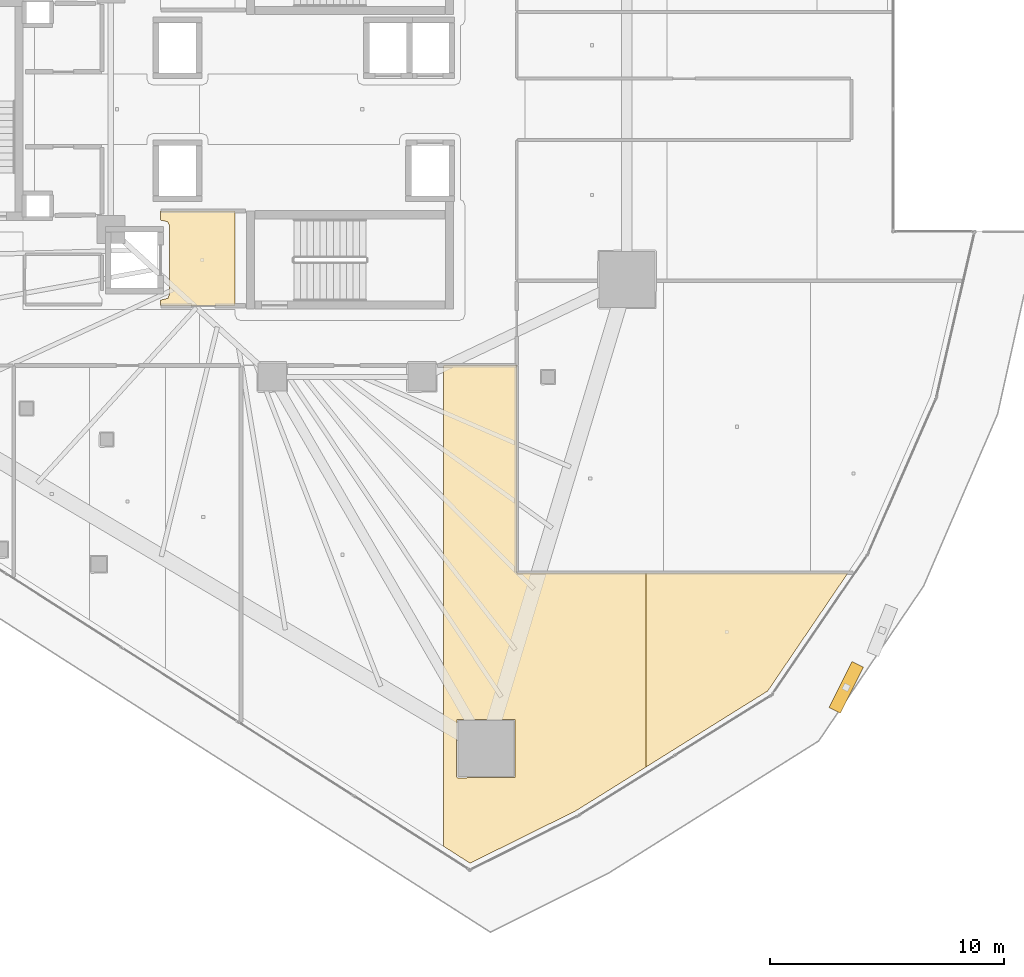
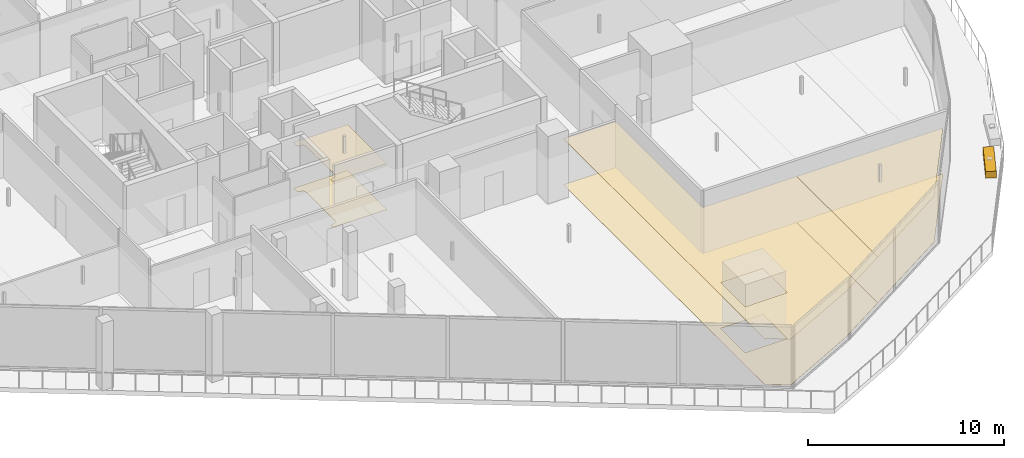
# One storey, part 39 of 45: 6 coverings, 1 shading device.
"""IFC4 building model written with IfcOpenShell, lengths in metres."""

from ifc_helpers import new_model, si_unit, direction, frame, origin, origin_2d, place, context, subcontext, project, spatial, polyline, rectangle, outline, extrude, material, layer, layer_set, type_object, element, save


model = new_model("IFC4")

# Units and contexts
model_context = context("Model", 3, precision=1e-05, world=origin(), true_north=direction((0.0, 1.0)))
body_context = subcontext(model_context, "Body", "Model", "MODEL_VIEW")
ifc_project = project(units=[si_unit("LENGTHUNIT", "METRE"), si_unit("AREAUNIT", "SQUARE_METRE"), si_unit("VOLUMEUNIT", "CUBIC_METRE"), si_unit("PLANEANGLEUNIT", "RADIAN"), si_unit("MASSUNIT", "GRAM", prefix="KILO")], contexts=[model_context])

# Site, building, storey
site_placement = place(None, origin())
site = spatial("IfcSite", under=ifc_project, at=site_placement, CompositionType="ELEMENT")
building_placement = place(site_placement, origin())
building = spatial("IfcBuilding", under=site, at=building_placement, Name="Qorvath Tower", CompositionType="ELEMENT")
storey_placement = place(building_placement, frame((0.0, 0.0, 66.0)))
storey = spatial("IfcBuildingStorey", under=building, at=storey_placement, Name="L14", CompositionType="ELEMENT", Elevation=66.0)

# Coverings
ifc_material_1 = material(Name="Acoustic mineral fibre ceiling tile", Category="gypsum")
ifc_layer_1 = layer(ifc_material_1, 0.030029296875)
ifc_layer_set_1 = layer_set([ifc_layer_1], Name="COV-CEIL")
covering_type_1 = type_object("IfcCoveringType", Name="COV-CEIL", PredefinedType="CEILING", material=ifc_layer_set_1)
covering_1_placement = place(storey_placement, frame((0.0, 0.0, 2.85009765625)))
element("IfcCovering", 1, at=covering_1_placement, inside=storey, type_object=covering_type_1, Name="L14 Suspended Acoustic Ceiling 002", PredefinedType="CEILING", context=body_context, shape_type="SweptSolid", body=[
    extrude(outline(polyline([(-25.18994140625, -8.39501953125), (-25.18994140625, -4.35498046875), (-28.375, -4.35498046875), (-28.375, -4.739990234375), (-28.063232421875, -4.813232421875), (-27.989990234375, -4.989990234375), (-27.989990234375, -7.909912109375), (-28.063232421875, -8.086669921875), (-28.375, -8.159912109375), (-28.375, -8.39501953125), (-25.18994140625, -8.39501953125)])), origin(), (0.0, 0.0, 1.0), 0.030029296875),
])
covering_2_placement = place(storey_placement, frame((0.0, 0.0, 2.85009765625)))
element("IfcCovering", 2, at=covering_2_placement, inside=storey, type_object=covering_type_1, Name="L14 Suspended Acoustic Ceiling 025", PredefinedType="CEILING", context=body_context, shape_type="SweptSolid", body=[
    extrude(outline(polyline([(-16.271484375, -10.962890625), (-16.271484375, -31.518798828125), (-15.1396484375, -32.242431640625), (-10.621337890625, -30.00537109375), (-7.625244140625, -28.134033203125), (-7.625244140625, -19.824462890625), (-13.14990234375, -19.821533203125), (-13.155029296875, -10.962890625), (-16.271484375, -10.962890625)]), holes=[polyline([(-15.724365234375, -28.53076171875), (-15.706787109375, -26.08837890625), (-13.221923828125, -26.08837890625), (-13.221923828125, -28.5732421875), (-15.664306640625, -28.5908203125), (-15.724365234375, -28.53076171875)])]), origin(), (0.0, 0.0, 1.0), 0.030029296875),
])
covering_3_placement = place(storey_placement, frame((0.0, 0.0, 2.85009765625)))
element("IfcCovering", 3, at=covering_3_placement, inside=storey, type_object=covering_type_1, Name="L14 Suspended Acoustic Ceiling 026", PredefinedType="CEILING", context=body_context, shape_type="SweptSolid", body=[
    extrude(outline(polyline([(-7.625244140625, -19.824462890625), (-7.625244140625, -28.134033203125), (-2.408447265625, -24.87548828125), (1.021240234375, -19.828857421875), (-7.625244140625, -19.824462890625)])), origin(), (0.0, 0.0, 1.0), 0.030029296875),
])
ifc_material_2 = material(Name="Low-VOC modular carpet tile", Category="textile")
ifc_layer_2 = layer(ifc_material_2, 0.014892578125)
ifc_layer_set_2 = layer_set([ifc_layer_2], Name="COV-FLOOR-CPT")
covering_type_2 = type_object("IfcCoveringType", Name="COV-FLOOR-CPT", PredefinedType="FLOORING", material=ifc_layer_set_2)
covering_4_placement = place(storey_placement, origin())
element("IfcCovering", 4, at=covering_4_placement, inside=storey, type_object=covering_type_2, Name="L14 Floor Finish 025", PredefinedType="FLOORING", context=body_context, shape_type="SweptSolid", body=[
    extrude(outline(polyline([(-16.271484375, -10.962890625), (-16.271484375, -31.518798828125), (-15.1396484375, -32.242431640625), (-10.621337890625, -30.00537109375), (-7.625244140625, -28.134033203125), (-7.625244140625, -19.824462890625), (-13.14990234375, -19.821533203125), (-13.155029296875, -10.962890625), (-16.271484375, -10.962890625)]), holes=[polyline([(-15.724365234375, -28.53076171875), (-15.706787109375, -26.08837890625), (-13.221923828125, -26.08837890625), (-13.221923828125, -28.5732421875), (-15.664306640625, -28.5908203125), (-15.724365234375, -28.53076171875)])]), origin(), (0.0, 0.0, 1.0), 0.014892578125),
])
covering_5_placement = place(storey_placement, origin())
element("IfcCovering", 5, at=covering_5_placement, inside=storey, type_object=covering_type_2, Name="L14 Floor Finish 026", PredefinedType="FLOORING", context=body_context, shape_type="SweptSolid", body=[
    extrude(outline(polyline([(-7.625244140625, -19.824462890625), (-7.625244140625, -28.134033203125), (-2.408447265625, -24.87548828125), (1.021240234375, -19.828857421875), (-7.625244140625, -19.824462890625)])), origin(), (0.0, 0.0, 1.0), 0.014892578125),
])
ifc_material_3 = material(Name="Polished epoxy terrazzo flooring", Category="concrete")
ifc_layer_3 = layer(ifc_material_3, 0.02001953125)
ifc_layer_set_3 = layer_set([ifc_layer_3], Name="COV-FLOOR-TRZ")
covering_type_3 = type_object("IfcCoveringType", Name="COV-FLOOR-TRZ", PredefinedType="FLOORING", material=ifc_layer_set_3)
covering_6_placement = place(storey_placement, origin())
element("IfcCovering", 6, at=covering_6_placement, inside=storey, type_object=covering_type_3, Name="L14 Floor Finish 002", PredefinedType="FLOORING", context=body_context, shape_type="SweptSolid", body=[
    extrude(outline(polyline([(-25.18994140625, -8.39501953125), (-25.18994140625, -4.35498046875), (-28.375, -4.35498046875), (-28.375, -4.739990234375), (-28.063232421875, -4.813232421875), (-27.989990234375, -4.989990234375), (-27.989990234375, -7.909912109375), (-28.063232421875, -8.086669921875), (-28.375, -8.159912109375), (-28.375, -8.39501953125), (-25.18994140625, -8.39501953125)])), origin(), (0.0, 0.0, 1.0), 0.014892578125),
])

# Shading device
ifc_material_4 = material(Name="Anodised bronze-champagne aluminium", Category="aluminium")
shading_device_type = type_object("IfcShadingDeviceType", Name="SD-LOUVRE", PredefinedType="JALOUSIE", material=ifc_material_4)
shading_device_placement = place(storey_placement, frame((0.945556640625, -24.7216796875, 3.5), z_axis=(0.0, 0.0, 1.0), x_axis=(0.446777204878, 0.894645253271, 0.0)))
element("IfcShadingDevice", 7, at=shading_device_placement, inside=storey, type_object=shading_device_type, Name="Sinusoidal Wave Louvre Blade L14-03", PredefinedType="NOTDEFINED", context=body_context, shape_type="SweptSolid", body=[
    extrude(rectangle(XDim=2.199951171875, YDim=0.550048828125, at=origin_2d()), origin(), (0.0, 0.0, 1.0), 0.419921875),
])

save(model, "model.ifc")
